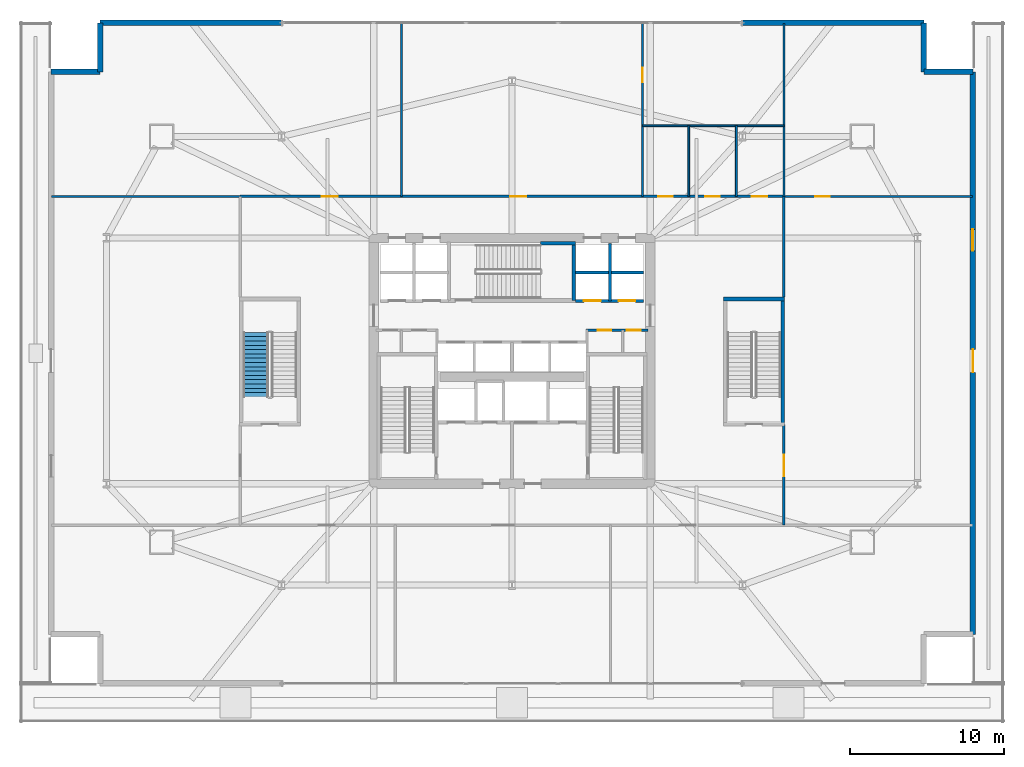
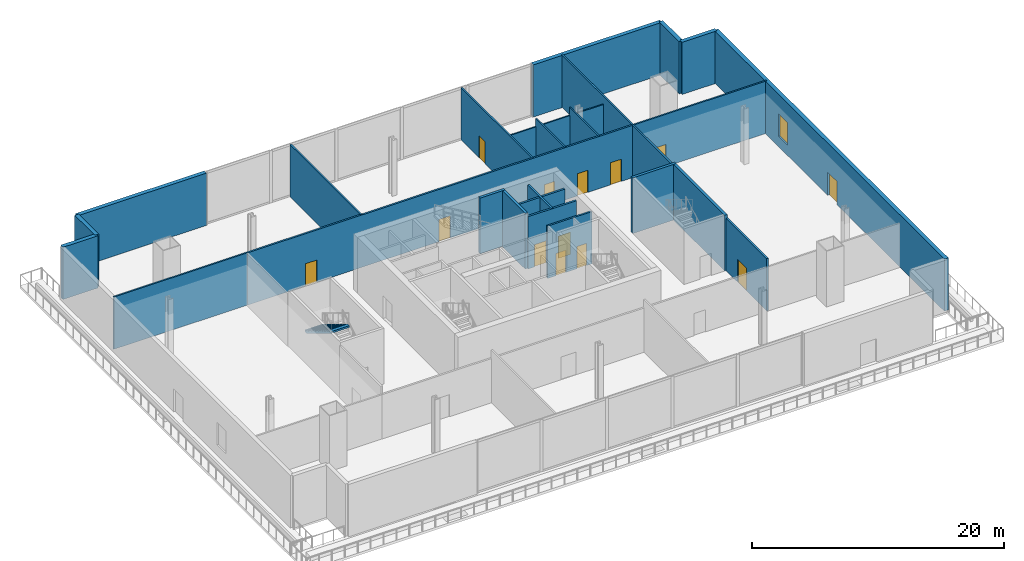
# One storey, part 12 of 20: 26 walls, 13 doors, 1 stair flight, 1 window, 14 openings, 1 element without a shape of its own.
"""IFC4 building model written with IfcOpenShell, lengths in metres."""

from ifc_helpers import new_model, si_unit, direction, frame, frame_2d, origin, place, context, subcontext, project, spatial, polyline, rectangle, outline, extrude, material, layer, layer_set, type_object, element, fill, aggregate, save


model = new_model("IFC4")

# Units and contexts
model_context = context("Model", 3, precision=1e-05, world=origin(), true_north=direction((0.0, 1.0)))
body_context = subcontext(model_context, "Body", "Model", "MODEL_VIEW")
ifc_project = project(units=[si_unit("LENGTHUNIT", "METRE"), si_unit("AREAUNIT", "SQUARE_METRE"), si_unit("VOLUMEUNIT", "CUBIC_METRE"), si_unit("PLANEANGLEUNIT", "RADIAN"), si_unit("MASSUNIT", "GRAM", prefix="KILO")], contexts=[model_context])

# Site, building, storey
site_placement = place(None, origin())
site = spatial("IfcSite", under=ifc_project, at=site_placement, CompositionType="ELEMENT")
building_placement = place(site_placement, origin())
building = spatial("IfcBuilding", under=site, at=building_placement, Name="Haldenkirk Collegiate Tower", CompositionType="ELEMENT")
storey_placement = place(building_placement, frame((0.0, 0.0, 6.0)))
storey = spatial("IfcBuildingStorey", under=building, at=storey_placement, Name="L01", CompositionType="ELEMENT", Elevation=6.0)

# Wall, openings, door, window
ifc_material_1 = material(Name="Precast concrete f'c 40 MPa", Category="concrete")
ifc_layer_1 = layer(ifc_material_1, 0.360107421875)
ifc_layer_set_1 = layer_set([ifc_layer_1], Name="Precast concrete f'c 40 MPa")
wall_type_1 = type_object("IfcWallType", Name="WL-EXT-POD-360", PredefinedType="STANDARD", material=ifc_layer_set_1)
wall_1_placement = place(storey_placement, frame((66.0, 44.800048828125, 0.0), z_axis=(0.0, 0.0, 1.0), x_axis=(0.0, -1.0, 0.0)))
wall_1 = element("IfcWall", 1, at=wall_1_placement, inside=storey, type_object=wall_type_1, Name="L01 podium bronze precast wall 04", PredefinedType="STANDARD", context=body_context, shape_type="SweptSolid", body=[
    extrude(rectangle(XDim=36.60009765625, YDim=0.360107421875, at=frame_2d((18.300048828125, 0.0))), origin(), (0.0, 0.0, 1.0), 5.070068359375),
])
opening_1_placement = place(wall_1_placement, frame((18.050048828125, 0.0, 0.0)))
opening_1 = element("IfcOpeningElement", 2, at=opening_1_placement, cuts=wall_1, Name="Opening D-PT15", PredefinedType="OPENING", context=body_context, shape_type="SweptSolid", body=[
    extrude(rectangle(XDim=1.5, YDim=2.25, at=frame_2d((0.75, 1.125))), frame((0.0, 0.18994140625, 0.0), z_axis=(0.0, -1.0, 0.0), x_axis=(1.0, 0.0, 0.0)), (0.0, 0.0, 1.0), 0.380126953125),
])
opening_2_placement = place(wall_1_placement, frame((10.248046875, 0.0, 1.0)))
opening_2 = element("IfcOpeningElement", 3, at=opening_2_placement, cuts=wall_1, Name="Opening W-02", PredefinedType="OPENING", context=body_context, shape_type="SweptSolid", body=[
    extrude(rectangle(XDim=1.39990234375, YDim=2.199951171875, at=frame_2d((0.699951171875, 1.10009765625))), frame((0.0, 0.18994140625, 0.0), z_axis=(0.0, -1.0, 0.0), x_axis=(1.0, 0.0, 0.0)), (0.0, 0.0, 1.0), 0.380126953125),
])
ifc_material_2 = material(Name="Anodised architectural bronze aluminium", Category="aluminium")
ifc_layer_2 = layer(ifc_material_2, 0.080078125)
ifc_layer_set_2 = layer_set([ifc_layer_2], Name="Anodised architectural bronze aluminium")
door_type_1 = type_object("IfcDoorType", Name="DR-EXT-PTER-1500", OperationType="NOTDEFINED", PredefinedType="DOOR", material=ifc_layer_set_2)
door_1_placement = place(opening_1_placement, origin())
door_1 = element("IfcDoor", 4, at=door_1_placement, inside=storey, type_object=door_type_1, Name="L01 E cascade terrace door", OperationType="DOUBLE_DOOR_SINGLE_SWING", OverallHeight=2.25, OverallWidth=1.5, PredefinedType="DOOR", context=body_context, shape_type="SweptSolid", body=[
    extrude(rectangle(XDim=1.5, YDim=2.25, at=frame_2d((0.75, 1.125))), frame((0.0, 0.02490234375, 0.0), z_axis=(0.0, -1.0, 0.0), x_axis=(1.0, 0.0, 0.0)), (0.0, 0.0, 1.0), 0.050048828125),
])
fill(opening_1, door_1)
ifc_material_3 = material(Name="Low-E argon triple insulating glass", Category="glass")
ifc_layer_3 = layer(ifc_material_3, 0.090087890625)
ifc_layer_set_3 = layer_set([ifc_layer_3], Name="Low-E argon triple insulating glass")
window_type = type_object("IfcWindowType", Name="WN-POD-1400X2200", PartitioningType="SINGLE_PANEL", PredefinedType="WINDOW", material=ifc_layer_set_3)
window_placement = place(opening_2_placement, origin())
window = element("IfcWindow", 5, at=window_placement, inside=storey, type_object=window_type, Name="L01 podium academic window 4A", OverallHeight=2.199951171875, OverallWidth=1.39990234375, PartitioningType="SINGLE_PANEL", PredefinedType="WINDOW", context=body_context, shape_type="SweptSolid", body=[
    extrude(rectangle(XDim=1.39990234375, YDim=2.199951171875, at=frame_2d((0.699951171875, 1.10009765625))), frame((0.0, 0.030029296875, 0.0), z_axis=(0.0, -1.0, 0.0), x_axis=(1.0, 0.0, 0.0)), (0.0, 0.0, 1.0), 0.06005859375),
])
fill(opening_2, window)

# Walls
for number, where, z_axis, x_axis, name in (
    (6, (62.800048828125, 44.800048828125, 0.0), (0.0, 0.0, 1.0), (1.0, 0.0, 0.0), "L01 podium bronze precast wall 05"),
    (7, (62.800048828125, 48.0, 0.0), (0.0, 0.0, 1.0), (0.0, -1.0, 0.0), "L01 podium bronze precast wall 06"),
):
    element("IfcWall", number, at=place(storey_placement, frame(where, z_axis=z_axis, x_axis=x_axis)), inside=storey, type_object=wall_type_1, Name=name, PredefinedType="STANDARD", context=body_context, shape_type="SweptSolid", body=[
        extrude(rectangle(XDim=3.199951171875, YDim=0.360107421875, at=frame_2d((1.60009765625, 0.0))), origin(), (0.0, 0.0, 1.0), 5.070068359375),
    ])
for number, where, z_axis, x_axis, name in (
    (8, (9.199951171875, 48.0, 0.0), (0.0, 0.0, 1.0), (1.0, 0.0, 0.0), "L01 podium precast frame pier 7L"),
    (9, (51.008056640625, 48.0, 0.0), (0.0, 0.0, 1.0), (1.0, 0.0, 0.0), "L01 podium precast frame pier 7R"),
):
    element("IfcWall", number, at=place(storey_placement, frame(where, z_axis=z_axis, x_axis=x_axis)), inside=storey, type_object=wall_type_1, Name=name, PredefinedType="STANDARD", context=body_context, shape_type="SweptSolid", body=[
        extrude(rectangle(XDim=11.7919921875, YDim=0.360107421875, at=frame_2d((5.89599609375, 0.0))), origin(), (0.0, 0.0, 1.0), 5.070068359375),
    ])
for number, where, z_axis, x_axis, name in (
    (10, (9.199951171875, 44.800048828125, 0.0), (0.0, 0.0, 1.0), (0.0, 1.0, 0.0), "L01 podium bronze precast wall 08"),
    (11, (6.0, 44.800048828125, 0.0), (0.0, 0.0, 1.0), (1.0, 0.0, 0.0), "L01 podium bronze precast wall 09"),
):
    element("IfcWall", number, at=place(storey_placement, frame(where, z_axis=z_axis, x_axis=x_axis)), inside=storey, type_object=wall_type_1, Name=name, PredefinedType="STANDARD", context=body_context, shape_type="SweptSolid", body=[
        extrude(rectangle(XDim=3.199951171875, YDim=0.360107421875, at=frame_2d((1.60009765625, 0.0))), origin(), (0.0, 0.0, 1.0), 5.070068359375),
    ])

# Wall, openings, doors
ifc_material_4 = material(Name="Acoustic fire-rated gypsum partition", Category="concrete")
ifc_layer_4 = layer(ifc_material_4, 0.159912109375)
ifc_layer_set_4 = layer_set([ifc_layer_4], Name="Acoustic fire-rated gypsum partition")
wall_type_2 = type_object("IfcWallType", Name="WL-INT-CORR-160", PredefinedType="PARTITIONING", material=ifc_layer_set_4)
wall_2_placement = place(storey_placement, frame((40.800048828125, 27.97998046875, 0.0), z_axis=(0.0, 0.0, 1.0), x_axis=(1.0, 0.0, 0.0)))
wall_2 = element("IfcWall", 12, at=wall_2_placement, inside=storey, type_object=wall_type_2, Name="L01 interior partition IW-L01-VCSE-N", PredefinedType="PARTITIONING", context=body_context, shape_type="SweptSolid", body=[
    extrude(rectangle(XDim=4.050048828125, YDim=0.159912109375, at=frame_2d((2.02490234375, 0.0))), origin(), (0.0, 0.0, 1.0), 5.070068359375),
])
opening_3_placement = place(wall_2_placement, frame((0.77001953125, 0.0, 0.0)))
opening_3 = element("IfcOpeningElement", 13, at=opening_3_placement, cuts=wall_2, Name="Opening D-11", PredefinedType="OPENING", context=body_context, shape_type="SweptSolid", body=[
    extrude(rectangle(XDim=0.89990234375, YDim=2.14990234375, at=frame_2d((0.449951171875, 1.074951171875))), frame((0.0, 0.08984375, 0.0), z_axis=(0.0, -1.0, 0.0), x_axis=(1.0, 0.0, 0.0)), (0.0, 0.0, 1.0), 0.179931640625),
])
opening_4_placement = place(wall_2_placement, frame((2.679931640625, 0.0, 0.0)))
opening_4 = element("IfcOpeningElement", 14, at=opening_4_placement, cuts=wall_2, Name="Opening D-11", PredefinedType="OPENING", context=body_context, shape_type="SweptSolid", body=[
    extrude(rectangle(XDim=0.89990234375, YDim=2.14990234375, at=frame_2d((0.449951171875, 1.074951171875))), frame((0.0, 0.08984375, 0.0), z_axis=(0.0, -1.0, 0.0), x_axis=(1.0, 0.0, 0.0)), (0.0, 0.0, 1.0), 0.179931640625),
])
ifc_material_5 = material(Name="Solid-core architectural oak fire door", Category="wood")
ifc_layer_5 = layer(ifc_material_5, 0.06005859375)
ifc_layer_set_5 = layer_set([ifc_layer_5], Name="Solid-core architectural oak fire door")
door_type_2 = type_object("IfcDoorType", Name="DR-INT-FD60-900", OperationType="NOTDEFINED", PredefinedType="DOOR", material=ifc_layer_set_5)
door_2_placement = place(opening_3_placement, origin())
door_2 = element("IfcDoor", 15, at=door_2_placement, inside=storey, type_object=door_type_2, Name="L01 core archive door", OperationType="SINGLE_SWING_LEFT", OverallHeight=2.14990234375, OverallWidth=0.89990234375, PredefinedType="DOOR", context=body_context, shape_type="SweptSolid", body=[
    extrude(rectangle(XDim=0.89990234375, YDim=2.14990234375, at=frame_2d((0.449951171875, 1.074951171875))), frame((0.0, 0.02490234375, 0.0), z_axis=(0.0, -1.0, 0.0), x_axis=(1.0, 0.0, 0.0)), (0.0, 0.0, 1.0), 0.050048828125),
])
fill(opening_3, door_2)
door_3_placement = place(opening_4_placement, origin())
door_3 = element("IfcDoor", 16, at=door_3_placement, inside=storey, type_object=door_type_2, Name="L01 core telecom door", OperationType="SINGLE_SWING_RIGHT", OverallHeight=2.14990234375, OverallWidth=0.89990234375, PredefinedType="DOOR", context=body_context, shape_type="SweptSolid", body=[
    extrude(rectangle(XDim=0.89990234375, YDim=2.14990234375, at=frame_2d((0.449951171875, 1.074951171875))), frame((0.0, 0.02490234375, 0.0), z_axis=(0.0, -1.0, 0.0), x_axis=(1.0, 0.0, 0.0)), (0.0, 0.0, 1.0), 0.050048828125),
])
fill(opening_4, door_3)

wall_3_placement = place(storey_placement, frame((18.300048828125, 36.699951171875, 0.0), z_axis=(0.0, 0.0, 1.0), x_axis=(1.0, 0.0, 0.0)))
wall_3 = element("IfcWall", 17, at=wall_3_placement, inside=storey, type_object=wall_type_2, Name="L01 interior partition IW-L01-CN", PredefinedType="PARTITIONING", context=body_context, shape_type="SweptSolid", body=[
    extrude(rectangle(XDim=35.39990234375, YDim=0.159912109375, at=frame_2d((17.699951171875, 0.0))), origin(), (0.0, 0.0, 1.0), 5.070068359375),
])
opening_5_placement = place(wall_3_placement, frame((5.324951171875, 0.0, 0.0)))
opening_5 = element("IfcOpeningElement", 18, at=opening_5_placement, cuts=wall_3, Name="Opening D-09", PredefinedType="OPENING", context=body_context, shape_type="SweptSolid", body=[
    extrude(rectangle(XDim=1.050048828125, YDim=2.14990234375, at=frame_2d((0.52490234375, 1.074951171875))), frame((0.0, 0.08984375, 0.0), z_axis=(0.0, -1.0, 0.0), x_axis=(1.0, 0.0, 0.0)), (0.0, 0.0, 1.0), 0.179931640625),
])
opening_6_placement = place(wall_3_placement, frame((17.574951171875, 0.0, 0.0)))
opening_6 = element("IfcOpeningElement", 19, at=opening_6_placement, cuts=wall_3, Name="Opening D-09", PredefinedType="OPENING", context=body_context, shape_type="SweptSolid", body=[
    extrude(rectangle(XDim=1.050048828125, YDim=2.14990234375, at=frame_2d((0.52490234375, 1.074951171875))), frame((0.0, 0.08984375, 0.0), z_axis=(0.0, -1.0, 0.0), x_axis=(1.0, 0.0, 0.0)), (0.0, 0.0, 1.0), 0.179931640625),
])
opening_7_placement = place(wall_3_placement, frame((27.22509765625, 0.0, 0.0)))
opening_7 = element("IfcOpeningElement", 20, at=opening_7_placement, cuts=wall_3, Name="Opening D-12", PredefinedType="OPENING", context=body_context, shape_type="SweptSolid", body=[
    extrude(rectangle(XDim=0.949951171875, YDim=2.14990234375, at=frame_2d((0.47509765625, 1.074951171875))), frame((0.0, 0.08984375, 0.0), z_axis=(0.0, -1.0, 0.0), x_axis=(1.0, 0.0, 0.0)), (0.0, 0.0, 1.0), 0.179931640625),
])
opening_8_placement = place(wall_3_placement, frame((30.27490234375, 0.0, 0.0)))
opening_8 = element("IfcOpeningElement", 21, at=opening_8_placement, cuts=wall_3, Name="Opening D-12", PredefinedType="OPENING", context=body_context, shape_type="SweptSolid", body=[
    extrude(rectangle(XDim=0.949951171875, YDim=2.14990234375, at=frame_2d((0.47509765625, 1.074951171875))), frame((0.0, 0.08984375, 0.0), z_axis=(0.0, -1.0, 0.0), x_axis=(1.0, 0.0, 0.0)), (0.0, 0.0, 1.0), 0.179931640625),
])
opening_9_placement = place(wall_3_placement, frame((33.300048828125, 0.0, 0.0)))
opening_9 = element("IfcOpeningElement", 22, at=opening_9_placement, cuts=wall_3, Name="Opening D-14", PredefinedType="OPENING", context=body_context, shape_type="SweptSolid", body=[
    extrude(rectangle(XDim=1.0, YDim=2.14990234375, at=frame_2d((0.5, 1.074951171875))), frame((0.0, 0.08984375, 0.0), z_axis=(0.0, -1.0, 0.0), x_axis=(1.0, 0.0, 0.0)), (0.0, 0.0, 1.0), 0.179931640625),
])
ifc_layer_6 = layer(ifc_material_5, 0.06005859375)
ifc_layer_set_6 = layer_set([ifc_layer_6], Name="Solid-core architectural oak fire door")
door_type_3 = type_object("IfcDoorType", Name="DR-INT-ACC-1000", OperationType="NOTDEFINED", PredefinedType="DOOR", material=ifc_layer_set_6)
door_4_placement = place(opening_9_placement, origin())
door_4 = element("IfcDoor", 23, at=door_4_placement, inside=storey, type_object=door_type_3, Name="L01 Accessible WC door", OperationType="SINGLE_SWING_RIGHT", OverallHeight=2.14990234375, OverallWidth=1.0, PredefinedType="DOOR", context=body_context, shape_type="SweptSolid", body=[
    extrude(rectangle(XDim=1.0, YDim=2.14990234375, at=frame_2d((0.5, 1.074951171875))), frame((0.0, 0.02490234375, 0.0), z_axis=(0.0, -1.0, 0.0), x_axis=(1.0, 0.0, 0.0)), (0.0, 0.0, 1.0), 0.050048828125),
])
fill(opening_9, door_4)
ifc_layer_7 = layer(ifc_material_5, 0.06005859375)
ifc_layer_set_7 = layer_set([ifc_layer_7], Name="Solid-core architectural oak fire door")
door_type_4 = type_object("IfcDoorType", Name="DR-INT-FD60-1050", OperationType="NOTDEFINED", PredefinedType="DOOR", material=ifc_layer_set_7)
door_5_placement = place(opening_5_placement, origin())
door_5 = element("IfcDoor", 24, at=door_5_placement, inside=storey, type_object=door_type_4, Name="L01 north-west door", OperationType="SINGLE_SWING_LEFT", OverallHeight=2.14990234375, OverallWidth=1.050048828125, PredefinedType="DOOR", context=body_context, shape_type="SweptSolid", body=[
    extrude(rectangle(XDim=1.050048828125, YDim=2.14990234375, at=frame_2d((0.52490234375, 1.074951171875))), frame((0.0, 0.02490234375, 0.0), z_axis=(0.0, -1.0, 0.0), x_axis=(1.0, 0.0, 0.0)), (0.0, 0.0, 1.0), 0.050048828125),
])
fill(opening_5, door_5)
door_6_placement = place(opening_6_placement, origin())
door_6 = element("IfcDoor", 25, at=door_6_placement, inside=storey, type_object=door_type_4, Name="L01 north door", OperationType="SINGLE_SWING_RIGHT", OverallHeight=2.14990234375, OverallWidth=1.050048828125, PredefinedType="DOOR", context=body_context, shape_type="SweptSolid", body=[
    extrude(rectangle(XDim=1.050048828125, YDim=2.14990234375, at=frame_2d((0.52490234375, 1.074951171875))), frame((0.0, 0.02490234375, 0.0), z_axis=(0.0, -1.0, 0.0), x_axis=(1.0, 0.0, 0.0)), (0.0, 0.0, 1.0), 0.050048828125),
])
fill(opening_6, door_6)
ifc_layer_8 = layer(ifc_material_5, 0.06005859375)
ifc_layer_set_8 = layer_set([ifc_layer_8], Name="Solid-core architectural oak fire door")
door_type_5 = type_object("IfcDoorType", Name="DR-INT-STD-950", OperationType="NOTDEFINED", PredefinedType="DOOR", material=ifc_layer_set_8)
door_7_placement = place(opening_7_placement, origin())
door_7 = element("IfcDoor", 26, at=door_7_placement, inside=storey, type_object=door_type_5, Name="L01 Male WC door", OperationType="SINGLE_SWING_RIGHT", OverallHeight=2.14990234375, OverallWidth=0.949951171875, PredefinedType="DOOR", context=body_context, shape_type="SweptSolid", body=[
    extrude(rectangle(XDim=0.949951171875, YDim=2.14990234375, at=frame_2d((0.47509765625, 1.074951171875))), frame((0.0, 0.02490234375, 0.0), z_axis=(0.0, -1.0, 0.0), x_axis=(1.0, 0.0, 0.0)), (0.0, 0.0, 1.0), 0.050048828125),
])
fill(opening_7, door_7)
door_8_placement = place(opening_8_placement, origin())
door_8 = element("IfcDoor", 27, at=door_8_placement, inside=storey, type_object=door_type_5, Name="L01 Female WC door", OperationType="SINGLE_SWING_LEFT", OverallHeight=2.14990234375, OverallWidth=0.949951171875, PredefinedType="DOOR", context=body_context, shape_type="SweptSolid", body=[
    extrude(rectangle(XDim=0.949951171875, YDim=2.14990234375, at=frame_2d((0.47509765625, 1.074951171875))), frame((0.0, 0.02490234375, 0.0), z_axis=(0.0, -1.0, 0.0), x_axis=(1.0, 0.0, 0.0)), (0.0, 0.0, 1.0), 0.050048828125),
])
fill(opening_8, door_8)

# Wall, opening, door
wall_4_placement = place(storey_placement, frame((53.699951171875, 15.300048828125, 0.0), z_axis=(0.0, 0.0, 1.0), x_axis=(0.0, 1.0, 0.0)))
wall_4 = element("IfcWall", 28, at=wall_4_placement, inside=storey, type_object=wall_type_2, Name="L01 interior partition IW-L01-CE1", PredefinedType="PARTITIONING", context=body_context, shape_type="SweptSolid", body=[
    extrude(rectangle(XDim=6.550048828125, YDim=0.159912109375, at=frame_2d((3.27490234375, 0.0))), origin(), (0.0, 0.0, 1.0), 5.070068359375),
])
opening_10_placement = place(wall_4_placement, frame((3.199951171875, 0.0, 0.0)))
opening_10 = element("IfcOpeningElement", 29, at=opening_10_placement, cuts=wall_4, Name="Opening D-07", PredefinedType="OPENING", context=body_context, shape_type="SweptSolid", body=[
    extrude(rectangle(XDim=1.39990234375, YDim=2.199951171875, at=frame_2d((0.699951171875, 1.10009765625))), frame((0.0, 0.08984375, 0.0), z_axis=(0.0, -1.0, 0.0), x_axis=(1.0, 0.0, 0.0)), (0.0, 0.0, 1.0), 0.179931640625),
])
ifc_material_6 = material(Name="Galvanized fire-rated hollow steel door", Category="steel")
ifc_layer_9 = layer(ifc_material_6, 0.06005859375)
ifc_layer_set_9 = layer_set([ifc_layer_9], Name="Galvanized fire-rated hollow steel door")
door_type_6 = type_object("IfcDoorType", Name="DR-LOBBY-FD60-1400", OperationType="NOTDEFINED", PredefinedType="DOOR", material=ifc_layer_set_9)
door_9_placement = place(opening_10_placement, origin())
door_9 = element("IfcDoor", 30, at=door_9_placement, inside=storey, type_object=door_type_6, Name="L01 east wing door", OperationType="DOUBLE_DOOR_SINGLE_SWING", OverallHeight=2.199951171875, OverallWidth=1.39990234375, PredefinedType="DOOR", context=body_context, shape_type="SweptSolid", body=[
    extrude(rectangle(XDim=1.39990234375, YDim=2.199951171875, at=frame_2d((0.699951171875, 1.10009765625))), frame((0.0, 0.02490234375, 0.0), z_axis=(0.0, -1.0, 0.0), x_axis=(1.0, 0.0, 0.0)), (0.0, 0.0, 1.0), 0.050048828125),
])
fill(opening_10, door_9)

# Walls
wall_5_placement = place(storey_placement, frame((53.699951171875, 30.14990234375, 0.0), z_axis=(0.0, 0.0, 1.0), x_axis=(0.0, 1.0, 0.0)))
element("IfcWall", 31, at=wall_5_placement, inside=storey, type_object=wall_type_2, Name="L01 interior partition IW-L01-CE2", PredefinedType="PARTITIONING", context=body_context, shape_type="SweptSolid", body=[
    extrude(rectangle(XDim=6.550048828125, YDim=0.159912109375, at=frame_2d((3.27490234375, 0.0))), origin(), (0.0, 0.0, 1.0), 5.070068359375),
])
ifc_layer_10 = layer(ifc_material_4, 0.139892578125)
ifc_layer_set_10 = layer_set([ifc_layer_10], Name="Acoustic fire-rated gypsum partition")
wall_type_3 = type_object("IfcWallType", Name="WL-INT-DIV-140", PredefinedType="PARTITIONING", material=ifc_layer_set_10)
wall_6_placement = place(storey_placement, frame((6.0400390625, 36.699951171875, 0.0), z_axis=(0.0, 0.0, 1.0), x_axis=(1.0, 0.0, 0.0)))
element("IfcWall", 32, at=wall_6_placement, inside=storey, type_object=wall_type_3, Name="L01 interior partition IW-L01-WCN1", PredefinedType="PARTITIONING", context=body_context, shape_type="SweptSolid", body=[
    extrude(rectangle(XDim=12.260009765625, YDim=0.139892578125, at=frame_2d((6.1298828125, 0.0))), origin(), (0.0, 0.0, 1.0), 5.070068359375),
])

# Wall, opening, door
wall_7_placement = place(storey_placement, frame((53.699951171875, 36.699951171875, 0.0), z_axis=(0.0, 0.0, 1.0), x_axis=(1.0, 0.0, 0.0)))
wall_7 = element("IfcWall", 33, at=wall_7_placement, inside=storey, type_object=wall_type_3, Name="L01 interior partition IW-L01-ECN1", PredefinedType="PARTITIONING", context=body_context, shape_type="SweptSolid", body=[
    extrude(rectangle(XDim=12.260009765625, YDim=0.139892578125, at=frame_2d((6.1298828125, 0.0))), origin(), (0.0, 0.0, 1.0), 5.070068359375),
])
opening_11_placement = place(wall_7_placement, frame((2.02490234375, 0.0, 0.0)))
opening_11 = element("IfcOpeningElement", 34, at=opening_11_placement, cuts=wall_7, Name="Opening D-12", PredefinedType="OPENING", context=body_context, shape_type="SweptSolid", body=[
    extrude(rectangle(XDim=0.949951171875, YDim=2.14990234375, at=frame_2d((0.47509765625, 1.074951171875))), frame((0.0, 0.079833984375, 0.0), z_axis=(0.0, -1.0, 0.0), x_axis=(1.0, 0.0, 0.0)), (0.0, 0.0, 1.0), 0.159912109375),
])
door_10_placement = place(opening_11_placement, origin())
door_10 = element("IfcDoor", 35, at=door_10_placement, inside=storey, type_object=door_type_5, Name="L01 north-east door", OperationType="SINGLE_SWING_LEFT", OverallHeight=2.14990234375, OverallWidth=0.949951171875, PredefinedType="DOOR", context=body_context, shape_type="SweptSolid", body=[
    extrude(rectangle(XDim=0.949951171875, YDim=2.14990234375, at=frame_2d((0.47509765625, 1.074951171875))), frame((0.0, 0.02490234375, 0.0), z_axis=(0.0, -1.0, 0.0), x_axis=(1.0, 0.0, 0.0)), (0.0, 0.0, 1.0), 0.050048828125),
])
fill(opening_11, door_10)

# Wall
wall_8_placement = place(storey_placement, frame((28.800048828125, 36.699951171875, 0.0), z_axis=(0.0, 0.0, 1.0), x_axis=(0.0, 1.0, 0.0)))
element("IfcWall", 36, at=wall_8_placement, inside=storey, type_object=wall_type_3, Name="L01 interior partition IW-L01-ND1", PredefinedType="PARTITIONING", context=body_context, shape_type="SweptSolid", body=[
    extrude(rectangle(XDim=11.260009765625, YDim=0.139892578125, at=frame_2d((5.6298828125, 0.0))), origin(), (0.0, 0.0, 1.0), 5.070068359375),
])

# Wall, opening, door
wall_9_placement = place(storey_placement, frame((44.5, 36.699951171875, 0.0), z_axis=(0.0, 0.0, 1.0), x_axis=(0.0, 1.0, 0.0)))
wall_9 = element("IfcWall", 37, at=wall_9_placement, inside=storey, type_object=wall_type_3, Name="L01 interior partition IW-L01-ND2", PredefinedType="PARTITIONING", context=body_context, shape_type="SweptSolid", body=[
    extrude(rectangle(XDim=11.260009765625, YDim=0.139892578125, at=frame_2d((5.6298828125, 0.0))), origin(), (0.0, 0.0, 1.0), 5.070068359375),
])
opening_12_placement = place(wall_9_placement, frame((7.425048828125, 0.0, 0.0)))
opening_12 = element("IfcOpeningElement", 38, at=opening_12_placement, cuts=wall_9, Name="Opening D-12", PredefinedType="OPENING", context=body_context, shape_type="SweptSolid", body=[
    extrude(rectangle(XDim=0.949951171875, YDim=2.14990234375, at=frame_2d((0.47509765625, 1.074951171875))), frame((0.0, 0.079833984375, 0.0), z_axis=(0.0, -1.0, 0.0), x_axis=(1.0, 0.0, 0.0)), (0.0, 0.0, 1.0), 0.159912109375),
])
door_11_placement = place(opening_12_placement, origin())
door_11 = element("IfcDoor", 39, at=door_11_placement, inside=storey, type_object=door_type_5, Name="L01 north study door", OperationType="SINGLE_SWING_LEFT", OverallHeight=2.14990234375, OverallWidth=0.949951171875, PredefinedType="DOOR", context=body_context, shape_type="SweptSolid", body=[
    extrude(rectangle(XDim=0.949951171875, YDim=2.14990234375, at=frame_2d((0.47509765625, 1.074951171875))), frame((0.0, 0.02490234375, 0.0), z_axis=(0.0, -1.0, 0.0), x_axis=(1.0, 0.0, 0.0)), (0.0, 0.0, 1.0), 0.050048828125),
])
fill(opening_12, door_11)

# Wall
wall_10_placement = place(storey_placement, frame((53.699951171875, 36.699951171875, 0.0), z_axis=(0.0, 0.0, 1.0), x_axis=(0.0, 1.0, 0.0)))
element("IfcWall", 40, at=wall_10_placement, inside=storey, type_object=wall_type_3, Name="L01 interior partition IW-L01-WCE", PredefinedType="PARTITIONING", context=body_context, shape_type="SweptSolid", body=[
    extrude(rectangle(XDim=11.260009765625, YDim=0.139892578125, at=frame_2d((5.6298828125, 0.0))), origin(), (0.0, 0.0, 1.0), 5.070068359375),
])

# Wall, openings, doors
ifc_material_7 = material(Name="Fire-rated gypsum shaftboard assembly", Category="concrete")
ifc_layer_11 = layer(ifc_material_7, 0.179931640625)
ifc_layer_set_11 = layer_set([ifc_layer_11], Name="Fire-rated gypsum shaftboard assembly")
wall_type_4 = type_object("IfcWallType", Name="WL-INT-SHAFT-180", PredefinedType="PARTITIONING", material=ifc_layer_set_11)
wall_11_placement = place(storey_placement, frame((40.1201171875, 29.89990234375, 0.0), z_axis=(0.0, 0.0, 1.0), x_axis=(1.0, 0.0, 0.0)))
wall_11 = element("IfcWall", 41, at=wall_11_placement, inside=storey, type_object=wall_type_4, Name="L01 interior partition IW-L01-PMS", PredefinedType="PARTITIONING", context=body_context, shape_type="SweptSolid", body=[
    extrude(rectangle(XDim=4.429931640625, YDim=0.179931640625, at=frame_2d((2.21484375, 0.0))), origin(), (0.0, 0.0, 1.0), 5.070068359375),
])
opening_13_placement = place(wall_11_placement, frame((0.56494140625, 0.0, 0.0)))
opening_13 = element("IfcOpeningElement", 42, at=opening_13_placement, cuts=wall_11, Name="Opening LD-11", PredefinedType="OPENING", context=body_context, shape_type="SweptSolid", body=[
    extrude(rectangle(XDim=1.10009765625, YDim=2.14990234375, at=frame_2d((0.550048828125, 1.074951171875))), frame((0.0, 0.099853515625, 0.0), z_axis=(0.0, -1.0, 0.0), x_axis=(1.0, 0.0, 0.0)), (0.0, 0.0, 1.0), 0.199951171875),
])
opening_14_placement = place(wall_11_placement, frame((2.81494140625, 0.0, 0.0)))
opening_14 = element("IfcOpeningElement", 43, at=opening_14_placement, cuts=wall_11, Name="Opening LD-11", PredefinedType="OPENING", context=body_context, shape_type="SweptSolid", body=[
    extrude(rectangle(XDim=1.10009765625, YDim=2.14990234375, at=frame_2d((0.550048828125, 1.074951171875))), frame((0.0, 0.099853515625, 0.0), z_axis=(0.0, -1.0, 0.0), x_axis=(1.0, 0.0, 0.0)), (0.0, 0.0, 1.0), 0.199951171875),
])
ifc_material_8 = material(Name="Brushed architectural stainless steel", Category="steel")
ifc_layer_12 = layer(ifc_material_8, 0.06005859375)
ifc_layer_set_12 = layer_set([ifc_layer_12], Name="Brushed architectural stainless steel")
door_type_7 = type_object("IfcDoorType", Name="LD-PASS-1100", OperationType="NOTDEFINED", PredefinedType="DOOR", material=ifc_layer_set_12)
door_12_placement = place(opening_13_placement, origin())
door_12 = element("IfcDoor", 44, at=door_12_placement, inside=storey, type_object=door_type_7, Name="L01 Elevator PM1 sliding landing door", OperationType="SLIDING_TO_LEFT", OverallHeight=2.14990234375, OverallWidth=1.10009765625, PredefinedType="DOOR", context=body_context, shape_type="SweptSolid", body=[
    extrude(rectangle(XDim=1.10009765625, YDim=2.14990234375, at=frame_2d((0.550048828125, 1.074951171875))), frame((0.0, 0.02490234375, 0.0), z_axis=(0.0, -1.0, 0.0), x_axis=(1.0, 0.0, 0.0)), (0.0, 0.0, 1.0), 0.050048828125),
])
fill(opening_13, door_12)
door_13_placement = place(opening_14_placement, origin())
door_13 = element("IfcDoor", 45, at=door_13_placement, inside=storey, type_object=door_type_7, Name="L01 Elevator PM2 sliding landing door", OperationType="SLIDING_TO_LEFT", OverallHeight=2.14990234375, OverallWidth=1.10009765625, PredefinedType="DOOR", context=body_context, shape_type="SweptSolid", body=[
    extrude(rectangle(XDim=1.10009765625, YDim=2.14990234375, at=frame_2d((0.550048828125, 1.074951171875))), frame((0.0, 0.02490234375, 0.0), z_axis=(0.0, -1.0, 0.0), x_axis=(1.0, 0.0, 0.0)), (0.0, 0.0, 1.0), 0.050048828125),
])
fill(opening_14, door_13)

# Walls
wall_12_placement = place(storey_placement, frame((40.1201171875, 31.75, 0.0), z_axis=(0.0, 0.0, 1.0), x_axis=(1.0, 0.0, 0.0)))
element("IfcWall", 46, at=wall_12_placement, inside=storey, type_object=wall_type_4, Name="L01 interior partition IW-L01-PMM", PredefinedType="PARTITIONING", context=body_context, shape_type="SweptSolid", body=[
    extrude(rectangle(XDim=4.429931640625, YDim=0.179931640625, at=frame_2d((2.21484375, 0.0))), origin(), (0.0, 0.0, 1.0), 5.070068359375),
])
wall_13_placement = place(storey_placement, frame((42.3701171875, 29.89990234375, 0.0), z_axis=(0.0, 0.0, 1.0), x_axis=(0.0, 1.0, 0.0)))
element("IfcWall", 47, at=wall_13_placement, inside=storey, type_object=wall_type_4, Name="L01 interior partition IW-L01-PMV", PredefinedType="PARTITIONING", context=body_context, shape_type="SweptSolid", body=[
    extrude(rectangle(XDim=3.75, YDim=0.179931640625, at=frame_2d((1.875, 0.0))), origin(), (0.0, 0.0, 1.0), 5.070068359375),
])
ifc_layer_13 = layer(ifc_material_4, 0.1201171875)
ifc_layer_set_13 = layer_set([ifc_layer_13], Name="Acoustic fire-rated gypsum partition")
wall_type_5 = type_object("IfcWallType", Name="WL-INT-WET-120", PredefinedType="PARTITIONING", material=ifc_layer_set_13)
for number, where, z_axis, x_axis, name in (
    (48, (47.5, 36.699951171875, 0.0), (0.0, 0.0, 1.0), (0.0, 1.0, 0.0), "L01 interior partition IW-L01-WCV1"),
    (49, (50.60009765625, 36.699951171875, 0.0), (0.0, 0.0, 1.0), (0.0, 1.0, 0.0), "L01 interior partition IW-L01-WCV2"),
):
    element("IfcWall", number, at=place(storey_placement, frame(where, z_axis=z_axis, x_axis=x_axis)), inside=storey, type_object=wall_type_5, Name=name, PredefinedType="PARTITIONING", context=body_context, shape_type="SweptSolid", body=[
        extrude(rectangle(XDim=4.60009765625, YDim=0.1201171875, at=frame_2d((2.300048828125, 0.0))), origin(), (0.0, 0.0, 1.0), 5.070068359375),
    ])
wall_14_placement = place(storey_placement, frame((44.5, 41.300048828125, 0.0), z_axis=(0.0, 0.0, 1.0), x_axis=(1.0, 0.0, 0.0)))
element("IfcWall", 50, at=wall_14_placement, inside=storey, type_object=wall_type_5, Name="L01 interior partition IW-L01-WCNB", PredefinedType="PARTITIONING", context=body_context, shape_type="SweptSolid", body=[
    extrude(rectangle(XDim=9.199951171875, YDim=0.1201171875, at=frame_2d((4.60009765625, 0.0))), origin(), (0.0, 0.0, 1.0), 4.2919921875),
])
ifc_material_9 = material(Name="Concrete f'c 55 MPa", Category="concrete")
ifc_layer_14 = layer(ifc_material_9, 0.239990234375)
ifc_layer_set_14 = layer_set([ifc_layer_14], Name="Concrete f'c 55 MPa")
wall_type_6 = type_object("IfcWallType", Name="WL-SHAFT-240", PredefinedType="SHEAR", material=ifc_layer_set_14)
wall_15_placement = place(storey_placement, frame((40.02001953125, 29.929931640625, 0.0), z_axis=(0.0, 0.0, 1.0), x_axis=(0.0, 1.0, 0.0)))
element("IfcWall", 51, at=wall_15_placement, inside=storey, type_object=wall_type_6, Name="L01 stair shaft shear wall SW-L01-ST3E", PredefinedType="SHEAR", context=body_context, shape_type="SweptSolid", body=[
    extrude(rectangle(XDim=3.85009765625, YDim=0.239990234375, at=frame_2d((1.925048828125, 0.0))), origin(), (0.0, 0.0, 1.0), 5.39990234375),
])
wall_16_placement = place(storey_placement, frame((37.85009765625, 33.659912109375, 0.0), z_axis=(0.0, 0.0, 1.0), x_axis=(1.0, 0.0, 0.0)))
element("IfcWall", 52, at=wall_16_placement, inside=storey, type_object=wall_type_6, Name="L01 stair shaft shear wall SW-L01-ST3N", PredefinedType="SHEAR", context=body_context, shape_type="SweptSolid", body=[
    extrude(rectangle(XDim=2.289794921875, YDim=0.239990234375, at=frame_2d((1.14501953125, 0.0))), origin(), (0.0, 0.0, 1.0), 5.39990234375),
])
wall_17_placement = place(storey_placement, frame((53.6201171875, 21.760009765625, 0.0), z_axis=(0.0, 0.0, 1.0), x_axis=(0.0, 1.0, 0.0)))
element("IfcWall", 53, at=wall_17_placement, inside=storey, type_object=wall_type_6, Name="L01 stair shaft shear wall SW-L01-ST5E", PredefinedType="SHEAR", context=body_context, shape_type="SweptSolid", body=[
    extrude(rectangle(XDim=8.3798828125, YDim=0.239990234375, at=frame_2d((4.18994140625, 0.0))), origin(), (0.0, 0.0, 1.0), 5.39990234375),
])
wall_18_placement = place(storey_placement, frame((49.760009765625, 30.02001953125, 0.0), z_axis=(0.0, 0.0, 1.0), x_axis=(1.0, 0.0, 0.0)))
element("IfcWall", 54, at=wall_18_placement, inside=storey, type_object=wall_type_6, Name="L01 stair shaft shear wall SW-L01-ST5N", PredefinedType="SHEAR", context=body_context, shape_type="SweptSolid", body=[
    extrude(rectangle(XDim=3.97998046875, YDim=0.239990234375, at=frame_2d((1.989990234375, 0.0))), origin(), (0.0, 0.0, 1.0), 5.39990234375),
])

# Stair, stair flight
ifc_material_10 = material(Name="Concrete f'c 40 MPa", Category="concrete")
stair_type = type_object("IfcStairType", Name="STR-DOGLEG-1650", PredefinedType="HALF_TURN_STAIR", material=ifc_material_10)
stair_placement = place(storey_placement, origin())
stair = element("IfcStair", 55, at=stair_placement, inside=storey, type_object=stair_type, Name="L01 Podium Exit Stair ST-4", PredefinedType="HALF_TURN_STAIR")
stair_flight_type = type_object("IfcStairFlightType", Name="STF-FLIGHT-1650", PredefinedType="STRAIGHT", material=ifc_material_10)
stair_flight_placement = place(storey_placement, frame((19.324951171875, 27.85009765625, 2.699951171875), z_axis=(0.0, 0.0, 1.0), x_axis=(0.0, -1.0, 0.0)))
stair_flight = element("IfcStairFlight", 56, at=stair_flight_placement, type_object=stair_flight_type, Name="ST-4 flight 2", NumberOfRisers=16, NumberOfTreads=15, PredefinedType="STRAIGHT", RiserHeight=0.16875, TreadLength=0.28, context=body_context, shape_type="SweptSolid", body=[
    extrude(outline(polyline([(0.0, 0.0), (0.0, 0.168701171875), (0.280029296875, 0.168701171875), (0.280029296875, 0.33740234375), (0.56005859375, 0.33740234375), (0.56005859375, 0.50634765625), (0.840087890625, 0.50634765625), (0.840087890625, 0.675048828125), (1.1201171875, 0.675048828125), (1.1201171875, 0.84375), (1.39990234375, 0.84375), (1.39990234375, 1.012451171875), (1.679931640625, 1.012451171875), (1.679931640625, 1.18115234375), (1.9599609375, 1.18115234375), (1.9599609375, 1.35009765625), (2.239990234375, 1.35009765625), (2.239990234375, 1.518798828125), (2.52001953125, 1.518798828125), (2.52001953125, 1.6875), (2.800048828125, 1.6875), (2.800048828125, 1.856201171875), (3.080078125, 1.856201171875), (3.080078125, 2.02490234375), (3.360107421875, 2.02490234375), (3.360107421875, 2.19384765625), (3.639892578125, 2.19384765625), (3.639892578125, 2.362548828125), (3.919921875, 2.362548828125), (3.919921875, 2.53125), (4.199951171875, 2.53125), (4.199951171875, 2.699951171875), (4.199951171875, 2.356201171875), (0.29052734375, 0.0), (0.0, 0.0)])), frame((0.0, 0.824951171875, 0.0), z_axis=(0.0, -1.0, 0.0), x_axis=(1.0, 0.0, 0.0)), (0.0, 0.0, 1.0), 1.64990234375),
])
aggregate(stair, [stair_flight])

save(model, "model.ifc")
